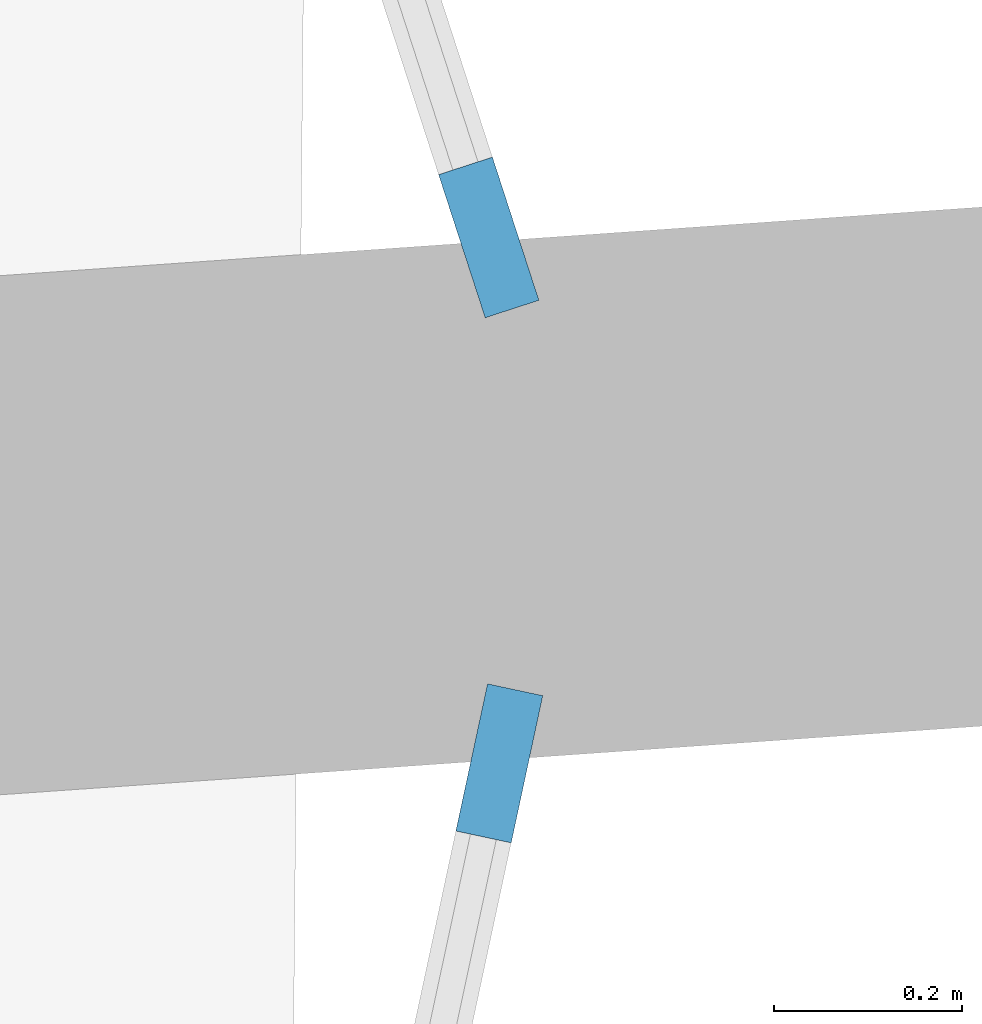
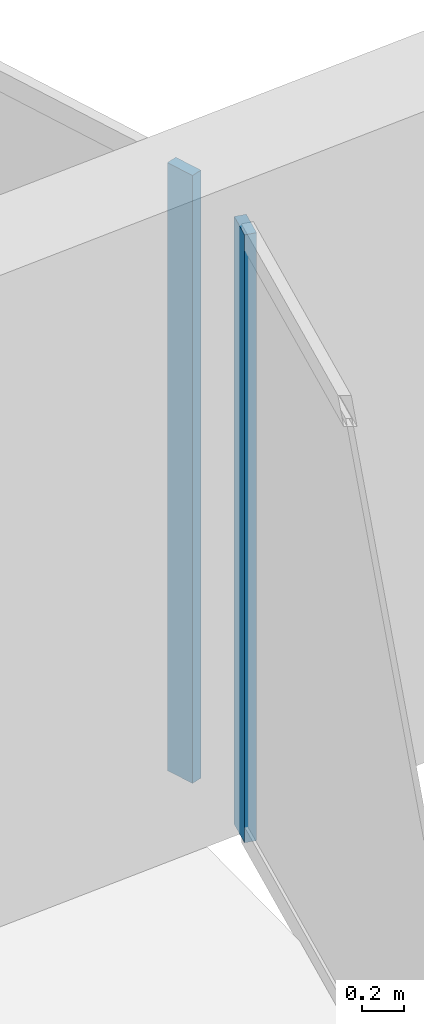
# One storey, part 17 of 31: 2 members, 2 elements without a shape of their own.
"""IFC4 building model written with IfcOpenShell, lengths in metres."""

import ifcopenshell
import ifcopenshell.guid

model = None  # the IFC model being written
_history = None  # IfcOwnerHistory: only IFC2X3 demands one
_inside = {}  # id of a spatial element -> (the spatial element, [elements in it])
_under = {}  # id of a project, library or spatial element -> (it, [spatial elements below it])
_declared = {}  # id of a project -> (the project, [libraries it declares])
_typed = {}  # id of a type object -> (the type object, [elements of that type])
_made_of = {}  # id of a material, layer set ... -> (it, [elements and type objects made of it])


def new_model(schema):
    """Start an empty IFC model of exactly this schema.

    Asked for "IFC4X3", IfcOpenShell would pick the latest addendum, in which some entities
    have other attributes; the version numbers below select the first issue.
    IFC2X3 requires an IfcOwnerHistory on every rooted entity: one is made here for all.
    """
    global model, _history
    if schema == "IFC4X3":
        model = ifcopenshell.file(schema_version=(4, 3, 0, 0))
    else:
        model = ifcopenshell.file(schema=schema)
    _inside.clear()
    _under.clear()
    _declared.clear()
    _typed.clear()
    _made_of.clear()
    _history = None
    if model.schema == "IFC2X3":
        org = make("IfcOrganization", Name="unknown")
        user = make(
            "IfcPersonAndOrganization",
            ThePerson=make("IfcPerson", FamilyName="unknown"),
            TheOrganization=org,
        )
        app = make(
            "IfcApplication",
            ApplicationDeveloper=org,
            Version="unknown",
            ApplicationFullName="unknown",
            ApplicationIdentifier="unknown",
        )
        _history = make(
            "IfcOwnerHistory",
            OwningUser=user,
            OwningApplication=app,
            ChangeAction="ADDED",
            CreationDate=0,
        )
    return model


def make(cls, **values):
    """One entity of the class cls with the attributes given. An attribute that is None is left unset."""
    return model.create_entity(
        cls, **{name: value for name, value in values.items() if value is not None}
    )


def rooted(cls, **values):
    """An entity with a GlobalId (a new one), such as an element, a storey or a relation."""
    return make(cls, GlobalId=ifcopenshell.guid.new(), OwnerHistory=_history, **values)


def si_unit(unit_type, name, prefix=None):
    """IfcSIUnit, for example si_unit("LENGTHUNIT", "METRE", prefix="MILLI")."""
    return make("IfcSIUnit", UnitType=unit_type, Prefix=prefix, Name=name)


def assignment(units):
    """IfcUnitAssignment: the units of a project."""
    return None if units is None else make("IfcUnitAssignment", Units=units)


def point(xyz):
    """IfcCartesianPoint."""
    return None if xyz is None else make("IfcCartesianPoint", Coordinates=xyz)


def direction(xyz):
    """IfcDirection."""
    return None if xyz is None else make("IfcDirection", DirectionRatios=xyz)


def frame(location, z_axis=None, x_axis=None):
    """IfcAxis2Placement3D, a coordinate frame: its origin and axes. An axis left out is left unset."""
    return make(
        "IfcAxis2Placement3D",
        Location=point(location),
        Axis=direction(z_axis),
        RefDirection=direction(x_axis),
    )


def frame_2d(location, x_axis=None):
    """IfcAxis2Placement2D, a coordinate frame in the plane: its origin and x axis."""
    return make(
        "IfcAxis2Placement2D", Location=point(location), RefDirection=direction(x_axis)
    )


def origin():
    """The frame at (0, 0, 0) with its axes left unset."""
    return frame((0.0, 0.0, 0.0))


def origin_2d():
    """The frame at (0, 0) in the plane with its x axis left unset."""
    return frame_2d((0.0, 0.0))


def place(relative_to, where):
    """IfcLocalPlacement: puts the frame where relative to a parent placement (None: the world)."""
    return make(
        "IfcLocalPlacement", PlacementRelTo=relative_to, RelativePlacement=where
    )


def context(
    kind, dimensions, precision=None, world=None, true_north=None, identifier=None
):
    """IfcGeometricRepresentationContext, for example the 3D "Model" context."""
    return make(
        "IfcGeometricRepresentationContext",
        ContextIdentifier=identifier,
        ContextType=kind,
        CoordinateSpaceDimension=dimensions,
        Precision=precision,
        WorldCoordinateSystem=world,
        TrueNorth=true_north,
    )


def subcontext(parent, identifier, kind, view, scale=None):
    """IfcGeometricRepresentationSubContext, for example "Body" below "Model"."""
    return make(
        "IfcGeometricRepresentationSubContext",
        ContextIdentifier=identifier,
        ContextType=kind,
        ParentContext=parent,
        TargetScale=scale,
        TargetView=view,
    )


def project(units=None, contexts=None):
    """IfcProject with its units and contexts."""
    return rooted(
        "IfcProject",
        Name="project",
        RepresentationContexts=contexts,
        UnitsInContext=assignment(units),
    )


def spatial(cls, under=None, at=None, **own):
    """A site, building, storey or space (cls), placed at a placement, below another one or the project."""
    s = rooted(cls, ObjectPlacement=at, **own)
    if under is not None:
        _under.setdefault(under.id(), (under, []))[1].append(s)
    return s


def profile(cls, at=None, kind="AREA", **sizes):
    """A parametric profile (cls). Its sizes go by their IFC names, for example OverallWidth=200.0."""
    return make(cls, ProfileType=kind, Position=at, **sizes)


def rectangle(**sizes):
    """IfcRectangleProfileDef."""
    return profile("IfcRectangleProfileDef", **sizes)


def extrude(swept, where, along, depth):
    """IfcExtrudedAreaSolid: the profile swept, set in the frame where, extruded along a direction by depth."""
    return make(
        "IfcExtrudedAreaSolid",
        SweptArea=swept,
        Position=where,
        ExtrudedDirection=direction(along),
        Depth=depth,
    )


def shape(context_of_items, identifier, shape_type, items):
    """IfcShapeRepresentation: the items that make up one representation, for example the "Body"."""
    return make(
        "IfcShapeRepresentation",
        ContextOfItems=context_of_items,
        RepresentationIdentifier=identifier,
        RepresentationType=shape_type,
        Items=items,
    )


def material(Name=None, Category=None):
    """IfcMaterial."""
    return make("IfcMaterial", Name=Name, Category=Category)


def layer(
    of_material, thickness, ventilated=None, Name=None, Category=None, Priority=None
):
    """IfcMaterialLayer: one layer of a wall or slab, of a material (None: an air gap)."""
    return make(
        "IfcMaterialLayer",
        Material=of_material,
        LayerThickness=thickness,
        IsVentilated=ventilated,
        Name=Name,
        Category=Category,
        Priority=Priority,
    )


def layer_set(layers, Name=None):
    """IfcMaterialLayerSet."""
    return make("IfcMaterialLayerSet", MaterialLayers=layers, LayerSetName=Name)


def material_profile(
    of_material, cross_section, Name=None, Category=None, Priority=None
):
    """IfcMaterialProfile: a cross section and its material."""
    return make(
        "IfcMaterialProfile",
        Name=Name,
        Material=of_material,
        Profile=cross_section,
        Priority=Priority,
        Category=Category,
    )


def profile_set(profiles, Name=None, composite=None):
    """IfcMaterialProfileSet."""
    return make(
        "IfcMaterialProfileSet",
        Name=Name,
        MaterialProfiles=profiles,
        CompositeProfile=composite,
    )


def made_of(thing, what):
    """Note that an element or type object is made of a material, layer set ...; save() writes the relation."""
    if what is not None:
        _made_of.setdefault(what.id(), (what, []))[1].append(thing)
    return thing


def type_object(cls, material=None, **own):
    """A type object (cls), such as IfcWallType, which elements share."""
    return made_of(rooted(cls, **own), material)


def element(
    cls,
    number,
    at=None,
    inside=None,
    cuts=None,
    type_object=None,
    material=None,
    context=None,
    identifier="Body",
    shape_type=None,
    held_by="IfcProductDefinitionShape",
    body=None,
    shapes=None,
    **own,
):
    """One element of the class cls, such as IfcWall. Its Tag is "e" and its number.

    at: its placement. inside: the storey or other place that contains it. cuts: it is an
    opening in that element (IfcRelVoidsElement). A single representation is given by context,
    identifier, shape_type and body (its items); several are given by shapes. held_by: the class
    of the entity that holds the representations. save() writes the other relations.
    """
    e = rooted(cls, Tag="e%d" % number, ObjectPlacement=at, **own)
    if body is not None:
        shapes = [shape(context, identifier, shape_type, body)]
    if shapes is not None:
        e.Representation = make(held_by, Representations=shapes)
    if inside is not None:
        _inside.setdefault(inside.id(), (inside, []))[1].append(e)
    if cuts is not None:
        rooted(
            "IfcRelVoidsElement", RelatingBuildingElement=cuts, RelatedOpeningElement=e
        )
    if type_object is not None:
        _typed.setdefault(type_object.id(), (type_object, []))[1].append(e)
    return made_of(e, material)


def aggregate(whole, parts):
    """IfcRelAggregates: a whole, such as a stair, and the parts it consists of."""
    return rooted("IfcRelAggregates", RelatingObject=whole, RelatedObjects=parts)


def save(model, path):
    """Write the relations noted so far, then the file.

    IfcRelAggregates (storeys below a building ...), IfcRelContainedInSpatialStructure (elements
    in a storey), IfcRelDefinesByType, IfcRelAssociatesMaterial and IfcRelDeclares: one each for
    every whole, place, type object, material and project.
    """
    for whole, parts in _under.values():
        aggregate(whole, parts)
    for where, things in _inside.values():
        rooted(
            "IfcRelContainedInSpatialStructure",
            RelatedElements=things,
            RelatingStructure=where,
        )
    for kind, things in _typed.values():
        rooted("IfcRelDefinesByType", RelatedObjects=things, RelatingType=kind)
    for what, things in _made_of.values():
        rooted("IfcRelAssociatesMaterial", RelatedObjects=things, RelatingMaterial=what)
    for by, libraries in _declared.values():
        rooted("IfcRelDeclares", RelatingContext=by, RelatedDefinitions=libraries)
    model.write(path)


model = new_model("IFC4")

# Units and contexts
model_context = context("Model", 3, precision=1e-05, world=origin(), true_north=direction((0.0, 1.0)))
body_context = subcontext(model_context, "Body", "Model", "MODEL_VIEW")
ifc_project = project(units=[si_unit("LENGTHUNIT", "METRE"), si_unit("AREAUNIT", "SQUARE_METRE"), si_unit("VOLUMEUNIT", "CUBIC_METRE"), si_unit("PLANEANGLEUNIT", "RADIAN"), si_unit("MASSUNIT", "GRAM", prefix="KILO")], contexts=[model_context])

# Site, building, storey
site_placement = place(None, origin())
site = spatial("IfcSite", under=ifc_project, at=site_placement, CompositionType="ELEMENT")
building_placement = place(site_placement, origin())
building = spatial("IfcBuilding", under=site, at=building_placement, Name="Kazma Halo Residences", CompositionType="ELEMENT")
storey_placement = place(building_placement, frame((0.0, 0.0, 33.89990234375)))
storey = spatial("IfcBuildingStorey", under=building, at=storey_placement, Name="L07", CompositionType="ELEMENT", Elevation=33.89990234375)

# Curtain wall, member
ifc_material_1 = material(Name="Aluminium AW-6063 T6 and Triple-Silver Low-E Glass", Category="aluminium")
ifc_layer = layer(ifc_material_1, 0.159912109375)
ifc_layer_set = layer_set([ifc_layer], Name="Aluminium AW-6063 T6 and Triple-Silver Low-E Glass")
curtain_wall_type = type_object("IfcCurtainWallType", Name="CW-SYS-2", PredefinedType="NOTDEFINED", material=ifc_layer_set)
curtain_wall_1_placement = place(storey_placement, origin())
curtain_wall_1 = element("IfcCurtainWall", 1, at=curtain_wall_1_placement, inside=storey, type_object=curtain_wall_type, Name="L07 unitised curtain wall B15", PredefinedType="NOTDEFINED")
ifc_material_2 = material(Name="Aluminium AW-6063 T6", Category="aluminium")
ifc_material_profile = material_profile(ifc_material_2, rectangle(XDim=0.06005859375, YDim=0.159912109375, at=origin_2d()), Name="CWM-60x160")
ifc_profile_set = profile_set([ifc_material_profile], Name="Aluminium AW-6063 T6")
member_type = type_object("IfcMemberType", Name="CW-SYS-2-MUL", PredefinedType="MULLION", material=ifc_profile_set)
member_1_placement = place(storey_placement, frame((79.74951171875, 43.940673828125, 0.0), z_axis=(0.0, 0.0, 1.0), x_axis=(-0.977779215096, 0.209637321406, 0.0)))
member_1 = element("IfcMember", 2, at=member_1_placement, type_object=member_type, Name="CWS-2 mullion 4", PredefinedType="MULLION", context=body_context, shape_type="SweptSolid", body=[
    extrude(rectangle(XDim=0.06005859375, YDim=0.159912109375, at=origin_2d()), origin(), (0.0, 0.0, 1.0), 3.5),
])
aggregate(curtain_wall_1, [member_1])

curtain_wall_2_placement = place(storey_placement, origin())
curtain_wall_2 = element("IfcCurtainWall", 3, at=curtain_wall_2_placement, inside=storey, type_object=curtain_wall_type, Name="L07 unitised curtain wall B16", PredefinedType="NOTDEFINED")
member_2_placement = place(storey_placement, frame((79.73828125, 44.499267578125, 0.0), z_axis=(0.0, 0.0, 1.0), x_axis=(-0.95105652404, -0.309016970539, 0.0)))
member_2 = element("IfcMember", 4, at=member_2_placement, type_object=member_type, Name="CWS-2 mullion 1", PredefinedType="MULLION", context=body_context, shape_type="SweptSolid", body=[
    extrude(rectangle(XDim=0.06005859375, YDim=0.159912109375, at=origin_2d()), origin(), (0.0, 0.0, 1.0), 3.5),
])
aggregate(curtain_wall_2, [member_2])

save(model, "model.ifc")
